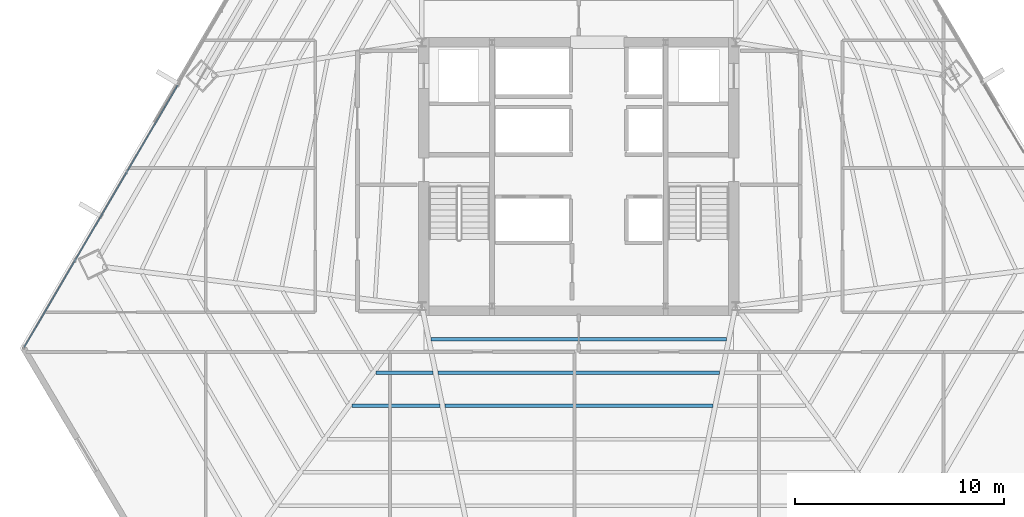
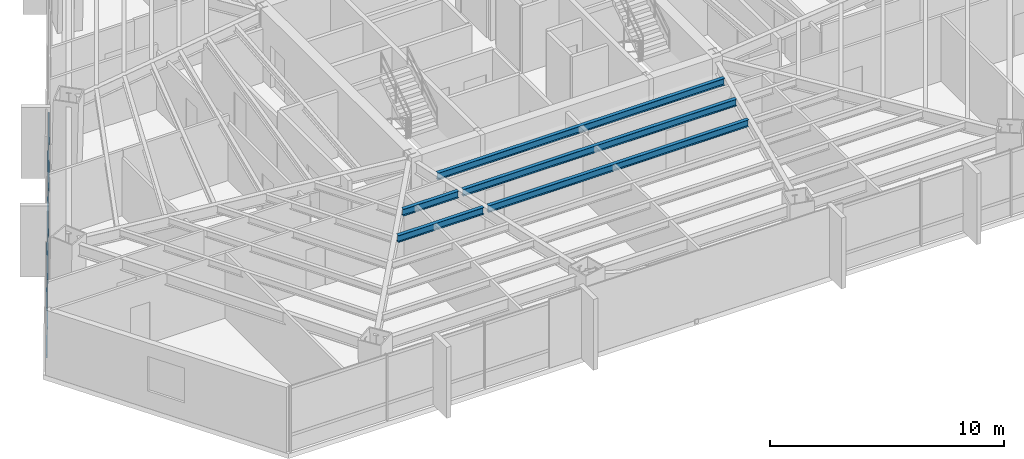
# One storey, part 11 of 35: 5 beams, 2 members, 1 element without a shape of its own.
"""IFC4 building model written with IfcOpenShell, lengths in metres."""

from ifc_helpers import new_model, si_unit, direction, frame, origin, origin_2d, place, context, subcontext, project, spatial, hollow_rectangle, i_section, extrude, source, transform, mapped, material, material_profile, profile_set, type_object, type_shapes, element, aggregate, save


model = new_model("IFC4")

# Units and contexts
model_context = context("Model", 3, precision=1e-05, world=origin(), true_north=direction((0.0, 1.0)))
body_context = subcontext(model_context, "Body", "Model", "MODEL_VIEW")
ifc_project = project(units=[si_unit("LENGTHUNIT", "METRE"), si_unit("AREAUNIT", "SQUARE_METRE"), si_unit("VOLUMEUNIT", "CUBIC_METRE"), si_unit("PLANEANGLEUNIT", "RADIAN"), si_unit("MASSUNIT", "GRAM", prefix="KILO")], contexts=[model_context])

# Site, building, storey
site_placement = place(None, origin())
site = spatial("IfcSite", under=ifc_project, at=site_placement, CompositionType="ELEMENT")
building_placement = place(site_placement, origin())
building = spatial("IfcBuilding", under=site, at=building_placement, Name="Caelisora Broadcast Tower", CompositionType="ELEMENT")
storey_placement = place(building_placement, frame((0.0, 0.0, 98.10009765625)))
storey = spatial("IfcBuildingStorey", under=building, at=storey_placement, Name="L25", CompositionType="ELEMENT", Elevation=98.10009765625)

# Beams
ifc_material_1 = material(Name="Steel Grade 350 (AS/NZS 3679.1)", Category="steel")
ifc_material_profile_1 = material_profile(ifc_material_1, i_section(OverallWidth=0.172119140625, OverallDepth=0.358642578125, WebThickness=0.008056640625, FlangeThickness=0.012939453125, at=origin_2d()), Name="Steel Grade 350 (AS/NZS 3679.1)")
ifc_profile_set_1 = profile_set([ifc_material_profile_1], Name="Steel Grade 350 (AS/NZS 3679.1)")
beam_type = type_object("IfcBeamType", Name="SB02", PredefinedType="JOIST", material=ifc_profile_set_1)
shared_shape_1 = source(origin(), body_context, "Body", "SweptSolid", [
    extrude(i_section(OverallWidth=0.172119140625, OverallDepth=0.358642578125, WebThickness=0.008056640625, FlangeThickness=0.012939453125, at=origin_2d()), origin(), (0.0, 0.0, 1.0), 2.7255859375),
])
beam_1_placement = place(storey_placement, frame((28.315185546875, 14.219482421875, 3.220703125), z_axis=(1.0, 0.0, 0.0), x_axis=(0.0, 1.0, 0.0)))
element("IfcBeam", 1, at=beam_1_placement, inside=storey, type_object=beam_type, Name="L25 beam SB02", PredefinedType="JOIST", context=body_context, shape_type="MappedRepresentation", body=[
    mapped(shared_shape_1, transform((0.0, 0.0, 0.0), scale=1.0)),
])
shared_shape_2 = source(origin(), body_context, "Body", "SweptSolid", [
    extrude(i_section(OverallWidth=0.172119140625, OverallDepth=0.358642578125, WebThickness=0.008056640625, FlangeThickness=0.012939453125, at=origin_2d()), origin(), (0.0, 0.0, 1.0), 4.21435546875),
])
beam_2_placement = place(storey_placement, frame((27.153564453125, 12.62939453125, 3.220703125), z_axis=(1.0, 0.0, 0.0), x_axis=(0.0, 1.0, 0.0)))
element("IfcBeam", 2, at=beam_2_placement, inside=storey, type_object=beam_type, Name="L25 beam SB02", PredefinedType="JOIST", context=body_context, shape_type="MappedRepresentation", body=[
    mapped(shared_shape_2, transform((0.0, 0.0, 0.0), scale=1.0)),
])
shared_shape_3 = source(origin(), body_context, "Body", "SweptSolid", [
    extrude(i_section(OverallWidth=0.172119140625, OverallDepth=0.358642578125, WebThickness=0.008056640625, FlangeThickness=0.012939453125, at=origin_2d()), origin(), (0.0, 0.0, 1.0), 14.119140625),
])
beam_3_placement = place(storey_placement, frame((30.9404296875, 15.809814453125, 3.220703125), z_axis=(1.0, 0.0, 0.0), x_axis=(0.0, 1.0, 0.0)))
element("IfcBeam", 3, at=beam_3_placement, inside=storey, type_object=beam_type, Name="L25 beam SB02", PredefinedType="JOIST", context=body_context, shape_type="MappedRepresentation", body=[
    mapped(shared_shape_3, transform((0.0, 0.0, 0.0), scale=1.0)),
])
shared_shape_4 = source(origin(), body_context, "Body", "SweptSolid", [
    extrude(i_section(OverallWidth=0.172119140625, OverallDepth=0.358642578125, WebThickness=0.008056640625, FlangeThickness=0.012939453125, at=origin_2d()), origin(), (0.0, 0.0, 1.0), 13.46484375),
])
beam_4_placement = place(storey_placement, frame((31.267578125, 14.219482421875, 3.220703125), z_axis=(1.0, 0.0, 0.0), x_axis=(0.0, 1.0, 0.0)))
element("IfcBeam", 4, at=beam_4_placement, inside=storey, type_object=beam_type, Name="L25 beam SB02", PredefinedType="JOIST", context=body_context, shape_type="MappedRepresentation", body=[
    mapped(shared_shape_4, transform((0.0, 0.0, 0.0), scale=1.0)),
])
shared_shape_5 = source(origin(), body_context, "Body", "SweptSolid", [
    extrude(i_section(OverallWidth=0.172119140625, OverallDepth=0.358642578125, WebThickness=0.008056640625, FlangeThickness=0.012939453125, at=origin_2d()), origin(), (0.0, 0.0, 1.0), 12.810546875),
])
type_shapes(beam_type, [shared_shape_1, shared_shape_2, shared_shape_3, shared_shape_4, shared_shape_5])
beam_5_placement = place(storey_placement, frame((31.5947265625, 12.62939453125, 3.220703125), z_axis=(1.0, 0.0, 0.0), x_axis=(0.0, 1.0, 0.0)))
element("IfcBeam", 5, at=beam_5_placement, inside=storey, type_object=beam_type, Name="L25 beam SB02", PredefinedType="JOIST", context=body_context, shape_type="MappedRepresentation", body=[
    mapped(shared_shape_5, transform((0.0, 0.0, 0.0), scale=1.0)),
])

# Curtain wall, members
ifc_material_2 = material(Name="Unitised Aluminium and Low-E Glass Curtain Wall", Category="glass")
curtain_wall_type = type_object("IfcCurtainWallType", Name="CW-Z2", PredefinedType="NOTDEFINED", material=ifc_material_2)
curtain_wall_placement = place(storey_placement, origin())
curtain_wall = element("IfcCurtainWall", 6, at=curtain_wall_placement, inside=storey, type_object=curtain_wall_type, Name="L25 curtain wall CW-Z2", PredefinedType="NOTDEFINED")
ifc_material_3 = material(Name="Aluminium 6063-T6 Anodised Terracotta Bronze", Category="aluminium")
ifc_material_profile_2 = material_profile(ifc_material_3, hollow_rectangle(XDim=0.06005859375, YDim=0.14990234375, WallThickness=0.00341796875, at=origin_2d()), Name="Aluminium 6063-T6 Anodised Terracotta Bronze")
ifc_profile_set_2 = profile_set([ifc_material_profile_2], Name="Aluminium 6063-T6 Anodised Terracotta Bronze")
member_type = type_object("IfcMemberType", Name="CWT-02", PredefinedType="USERDEFINED", material=ifc_profile_set_2)
shared_shape_6 = source(origin(), body_context, "Body", "SweptSolid", [
    extrude(hollow_rectangle(XDim=0.06005859375, YDim=0.14990234375, WallThickness=0.00341796875, at=origin_2d()), origin(), (0.0, 0.0, 1.0), 14.533935546875),
])
type_shapes(member_type, [shared_shape_6])
member_1_placement = place(storey_placement, frame((11.493408203125, 15.427001953125, 0.849853515625), z_axis=(0.505435808715, 0.862864209055, 0.0), x_axis=(-0.862864209055, 0.505435808715, 0.0)))
member_1 = element("IfcMember", 7, at=member_1_placement, type_object=member_type, Name="L25-CW-B09 transom #1", ObjectType="TRANSOM", PredefinedType="USERDEFINED", context=body_context, shape_type="MappedRepresentation", body=[
    mapped(shared_shape_6, transform((0.0, 0.0, 0.0), scale=1.0)),
])
member_2_placement = place(storey_placement, frame((11.493408203125, 15.427001953125, 3.31982421875), z_axis=(0.505435808715, 0.862864209055, 0.0), x_axis=(-0.862864209055, 0.505435808715, 0.0)))
member_2 = element("IfcMember", 8, at=member_2_placement, type_object=member_type, Name="L25-CW-B09 transom #2", ObjectType="TRANSOM", PredefinedType="USERDEFINED", context=body_context, shape_type="MappedRepresentation", body=[
    mapped(shared_shape_6, transform((0.0, 0.0, 0.0), scale=1.0)),
])
aggregate(curtain_wall, [member_1, member_2])

save(model, "model.ifc")
